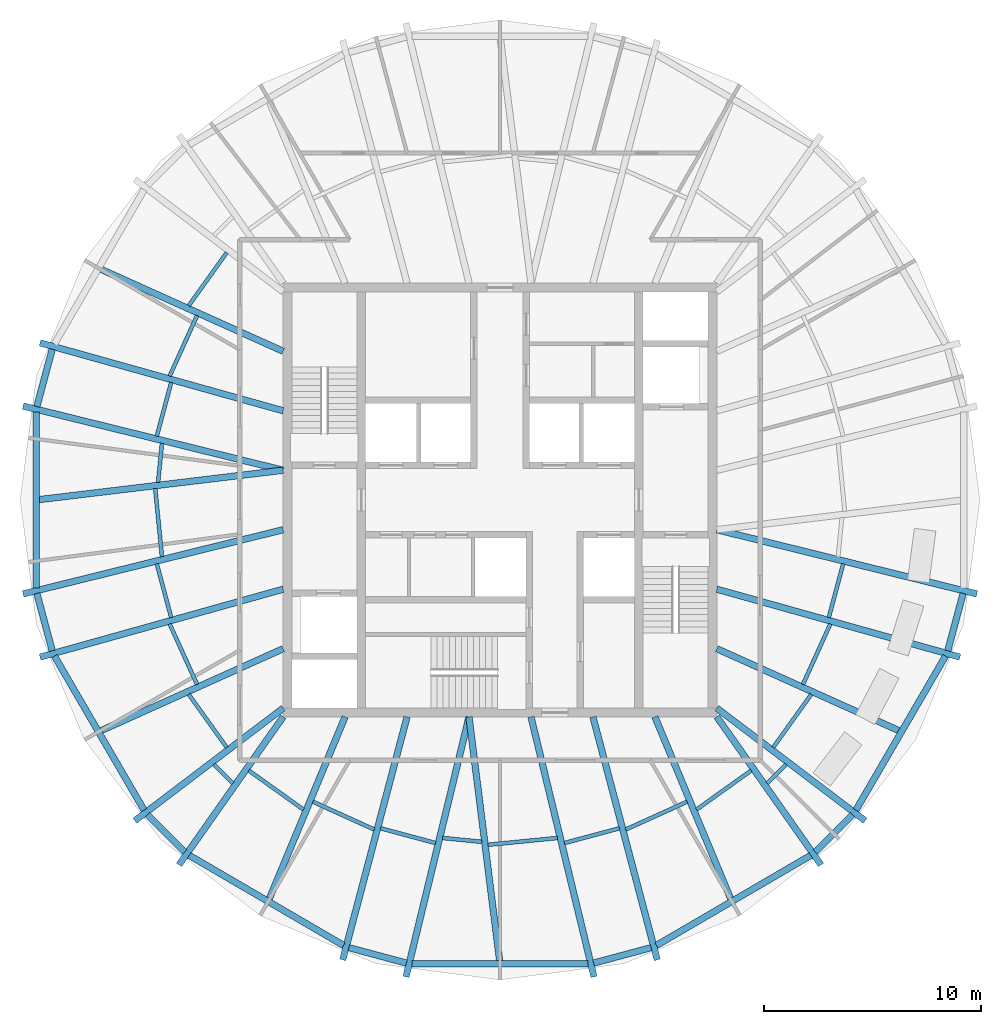
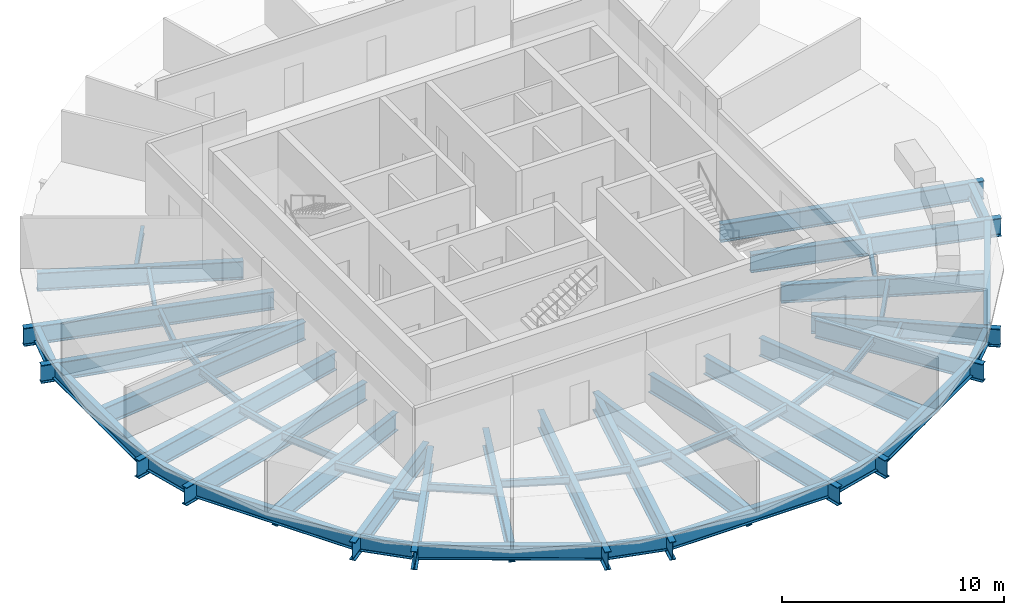
# One storey, part 1 of 7: 55 beams.
"""IFC4 building model written with IfcOpenShell, lengths in metres."""

from ifc_helpers import new_model, si_unit, direction, frame, origin, origin_2d, place, context, subcontext, project, spatial, i_section, extrude, material, material_profile, profile_set, type_object, element, save


model = new_model("IFC4")

# Units and contexts
model_context = context("Model", 3, precision=1e-05, world=origin(), true_north=direction((0.0, 1.0)))
body_context = subcontext(model_context, "Body", "Model", "MODEL_VIEW")
ifc_project = project(units=[si_unit("LENGTHUNIT", "METRE"), si_unit("AREAUNIT", "SQUARE_METRE"), si_unit("VOLUMEUNIT", "CUBIC_METRE"), si_unit("PLANEANGLEUNIT", "RADIAN"), si_unit("MASSUNIT", "GRAM", prefix="KILO")], contexts=[model_context])

# Site, building, storey
site_placement = place(None, origin())
site = spatial("IfcSite", under=ifc_project, at=site_placement, CompositionType="ELEMENT")
building_placement = place(site_placement, origin())
building = spatial("IfcBuilding", under=site, at=building_placement, Name="Golbaran Civic Tower", CompositionType="ELEMENT")
storey_placement = place(building_placement, frame((0.0, 0.0, 260.0)))
storey = spatial("IfcBuildingStorey", under=building, at=storey_placement, Name="L63", CompositionType="ELEMENT", Elevation=260.0)

# Beams
ifc_material = material(Name="Steel S355", Category="steel")
ifc_material_profile_1 = material_profile(ifc_material, i_section(OverallWidth=0.300048828125, OverallDepth=0.800048828125, WebThickness=0.017578125, FlangeThickness=0.032958984375, FilletRadius=0.030029296875, at=origin_2d()), Name="HEB 800")
ifc_profile_set_1 = profile_set([ifc_material_profile_1], Name="Steel S355")
beam_type_1 = type_object("IfcBeamType", Name="EDGE BEAM HEB 800", PredefinedType="BEAM", material=ifc_profile_set_1)
beam_1_placement = place(storey_placement, frame((-20.644775390625, 6.953857421875, -0.60009765625), z_axis=(-0.25901694916, -0.965872776326, 0.0), x_axis=(0.965872776326, -0.25901694916, 0.0)))
element("IfcBeam", 1, at=beam_1_placement, inside=storey, type_object=beam_type_1, Name="Edge beam 161.21 L63", PredefinedType="BEAM", context=body_context, shape_type="SweptSolid", body=[
    extrude(i_section(OverallWidth=0.300048828125, OverallDepth=0.800048828125, WebThickness=0.017578125, FlangeThickness=0.032958984375, FilletRadius=0.030029296875, at=origin_2d()), origin(), (0.0, 0.0, 1.0), 2.7373046875),
])
beam_2_placement = place(storey_placement, frame((-21.387451171875, 4.050537109375, -0.60009765625), z_axis=(0.0, -1.0, 0.0), x_axis=(1.0, 0.0, 0.0)))
element("IfcBeam", 2, at=beam_2_placement, inside=storey, type_object=beam_type_1, Name="Edge beam 168.79 L63", PredefinedType="BEAM", context=body_context, shape_type="SweptSolid", body=[
    extrude(i_section(OverallWidth=0.300048828125, OverallDepth=0.800048828125, WebThickness=0.017578125, FlangeThickness=0.032958984375, FilletRadius=0.030029296875, at=origin_2d()), origin(), (0.0, 0.0, 1.0), 8.10107421875),
])
beam_3_placement = place(storey_placement, frame((-21.353759765625, -4.31005859375, -0.60009765625), z_axis=(0.25901694916, -0.965872776326, 0.0), x_axis=(0.965872776326, 0.25901694916, 0.0)))
element("IfcBeam", 3, at=beam_3_placement, inside=storey, type_object=beam_type_1, Name="Edge beam 191.21 L63", PredefinedType="BEAM", context=body_context, shape_type="SweptSolid", body=[
    extrude(i_section(OverallWidth=0.300048828125, OverallDepth=0.800048828125, WebThickness=0.017578125, FlangeThickness=0.032958984375, FilletRadius=0.030029296875, at=origin_2d()), origin(), (0.0, 0.0, 1.0), 2.7373046875),
])
beam_4_placement = place(storey_placement, frame((-20.54345703125, -7.195556640625, -0.60009765625), z_axis=(0.502779418578, -0.864414747823, 0.0), x_axis=(0.864414747823, 0.502779418578, 0.0)))
element("IfcBeam", 4, at=beam_4_placement, inside=storey, type_object=beam_type_1, Name="Edge beam 198.79 L63", PredefinedType="BEAM", context=body_context, shape_type="SweptSolid", body=[
    extrude(i_section(OverallWidth=0.300048828125, OverallDepth=0.800048828125, WebThickness=0.017578125, FlangeThickness=0.032958984375, FilletRadius=0.030029296875, at=origin_2d()), origin(), (0.0, 0.0, 1.0), 8.221435546875),
])
beam_5_placement = place(storey_placement, frame((-16.251220703125, -14.50830078125, -0.60009765625), z_axis=(0.706451703172, -0.707761252885, 0.0), x_axis=(0.707761252885, 0.706451703172, 0.0)))
element("IfcBeam", 5, at=beam_5_placement, inside=storey, type_object=beam_type_1, Name="Edge beam 221.21 L63", PredefinedType="BEAM", context=body_context, shape_type="SweptSolid", body=[
    extrude(i_section(OverallWidth=0.300048828125, OverallDepth=0.800048828125, WebThickness=0.017578125, FlangeThickness=0.032958984375, FilletRadius=0.030029296875, at=origin_2d()), origin(), (0.0, 0.0, 1.0), 2.423583984375),
])
beam_6_placement = place(storey_placement, frame((-14.333251953125, -16.3828125, -0.60009765625), z_axis=(0.863762793422, -0.503898637328, 0.0), x_axis=(0.503898637328, 0.863762793422, 0.0)))
element("IfcBeam", 6, at=beam_6_placement, inside=storey, type_object=beam_type_1, Name="Edge beam 228.79 L63", PredefinedType="BEAM", context=body_context, shape_type="SweptSolid", body=[
    extrude(i_section(OverallWidth=0.300048828125, OverallDepth=0.800048828125, WebThickness=0.017578125, FlangeThickness=0.032958984375, FilletRadius=0.030029296875, at=origin_2d()), origin(), (0.0, 0.0, 1.0), 8.246337890625),
])
beam_7_placement = place(storey_placement, frame((-6.96826171875, -20.639892578125, -0.60009765625), z_axis=(0.965755456835, -0.259454037534, 0.0), x_axis=(0.259454037534, 0.965755456835, 0.0)))
element("IfcBeam", 7, at=beam_7_placement, inside=storey, type_object=beam_type_1, Name="Edge beam 251.21 L63", PredefinedType="BEAM", context=body_context, shape_type="SweptSolid", body=[
    extrude(i_section(OverallWidth=0.300048828125, OverallDepth=0.800048828125, WebThickness=0.017578125, FlangeThickness=0.032958984375, FilletRadius=0.030029296875, at=origin_2d()), origin(), (0.0, 0.0, 1.0), 2.74755859375),
])
beam_8_placement = place(storey_placement, frame((-4.055419921875, -21.386474609375, -0.60009765625), z_axis=(1.0, 0.0, 0.0), x_axis=(0.0, 1.0, 0.0)))
element("IfcBeam", 8, at=beam_8_placement, inside=storey, type_object=beam_type_1, Name="Edge beam 258.79 L63", PredefinedType="BEAM", context=body_context, shape_type="SweptSolid", body=[
    extrude(i_section(OverallWidth=0.300048828125, OverallDepth=0.800048828125, WebThickness=0.017578125, FlangeThickness=0.032958984375, FilletRadius=0.030029296875, at=origin_2d()), origin(), (0.0, 0.0, 1.0), 8.11083984375),
])
beam_9_placement = place(storey_placement, frame((4.314697265625, -21.352783203125, -0.60009765625), z_axis=(0.965755456835, 0.259454037534, 0.0), x_axis=(-0.259454037534, 0.965755456835, 0.0)))
element("IfcBeam", 9, at=beam_9_placement, inside=storey, type_object=beam_type_1, Name="Edge beam 281.21 L63", PredefinedType="BEAM", context=body_context, shape_type="SweptSolid", body=[
    extrude(i_section(OverallWidth=0.300048828125, OverallDepth=0.800048828125, WebThickness=0.017578125, FlangeThickness=0.032958984375, FilletRadius=0.030029296875, at=origin_2d()), origin(), (0.0, 0.0, 1.0), 2.74755859375),
])
beam_10_placement = place(storey_placement, frame((7.21044921875, -20.5380859375, -0.60009765625), z_axis=(0.863762793422, 0.503898637328, 0.0), x_axis=(-0.503898637328, 0.863762793422, 0.0)))
element("IfcBeam", 10, at=beam_10_placement, inside=storey, type_object=beam_type_1, Name="Edge beam 288.79 L63", PredefinedType="BEAM", context=body_context, shape_type="SweptSolid", body=[
    extrude(i_section(OverallWidth=0.300048828125, OverallDepth=0.800048828125, WebThickness=0.017578125, FlangeThickness=0.032958984375, FilletRadius=0.030029296875, at=origin_2d()), origin(), (0.0, 0.0, 1.0), 8.246337890625),
])
beam_11_placement = place(storey_placement, frame((14.5390625, -16.2236328125, -0.60009765625), z_axis=(0.706451703172, 0.707761252885, 0.0), x_axis=(-0.707761252885, 0.706451703172, 0.0)))
element("IfcBeam", 11, at=beam_11_placement, inside=storey, type_object=beam_type_1, Name="Edge beam 311.21 L63", PredefinedType="BEAM", context=body_context, shape_type="SweptSolid", body=[
    extrude(i_section(OverallWidth=0.300048828125, OverallDepth=0.800048828125, WebThickness=0.017578125, FlangeThickness=0.032958984375, FilletRadius=0.030029296875, at=origin_2d()), origin(), (0.0, 0.0, 1.0), 2.423583984375),
])
beam_12_placement = place(storey_placement, frame((16.409912109375, -14.30224609375, -0.60009765625), z_axis=(0.502779418578, 0.864414747823, 0.0), x_axis=(-0.864414747823, 0.502779418578, 0.0)))
element("IfcBeam", 12, at=beam_12_placement, inside=storey, type_object=beam_type_1, Name="Edge beam 318.79 L63", PredefinedType="BEAM", context=body_context, shape_type="SweptSolid", body=[
    extrude(i_section(OverallWidth=0.300048828125, OverallDepth=0.800048828125, WebThickness=0.017578125, FlangeThickness=0.032958984375, FilletRadius=0.030029296875, at=origin_2d()), origin(), (0.0, 0.0, 1.0), 8.221435546875),
])
beam_13_placement = place(storey_placement, frame((20.644775390625, -6.953857421875, -0.60009765625), z_axis=(0.25901694916, 0.965872776326, 0.0), x_axis=(-0.965872776326, 0.25901694916, 0.0)))
element("IfcBeam", 13, at=beam_13_placement, inside=storey, type_object=beam_type_1, Name="Edge beam 341.21 L63", PredefinedType="BEAM", context=body_context, shape_type="SweptSolid", body=[
    extrude(i_section(OverallWidth=0.300048828125, OverallDepth=0.800048828125, WebThickness=0.017578125, FlangeThickness=0.032958984375, FilletRadius=0.030029296875, at=origin_2d()), origin(), (0.0, 0.0, 1.0), 2.7373046875),
])
ifc_material_profile_2 = material_profile(ifc_material, i_section(OverallWidth=0.179931640625, OverallDepth=0.39990234375, WebThickness=0.008544921875, FlangeThickness=0.013427734375, FilletRadius=0.02099609375, at=origin_2d()), Name="IPE 400")
ifc_profile_set_2 = profile_set([ifc_material_profile_2], Name="Steel S355")
beam_type_2 = type_object("IfcBeamType", Name="FLOOR INFILL BEAM IPE 400", PredefinedType="BEAM", material=ifc_profile_set_2)
beam_14_placement = place(storey_placement, frame((-12.598388671875, 11.4091796875, -0.39990234375), z_axis=(-0.582187972449, -0.813054220046, 0.0), x_axis=(0.813054220046, -0.582187972449, 0.0)))
element("IfcBeam", 14, at=beam_14_placement, inside=storey, type_object=beam_type_2, Name="Infill beam 144.40 L63", PredefinedType="BEAM", context=body_context, shape_type="SweptSolid", body=[
    extrude(i_section(OverallWidth=0.179931640625, OverallDepth=0.39990234375, WebThickness=0.008544921875, FlangeThickness=0.013427734375, FilletRadius=0.02099609375, at=origin_2d()), origin(), (0.0, 0.0, 1.0), 3.013916015625),
])
beam_15_placement = place(storey_placement, frame((-13.968994140625, 8.500732421875, -0.39990234375), z_axis=(-0.413057972764, -0.910704733235, 0.0), x_axis=(0.910704733235, -0.413057972764, 0.0)))
element("IfcBeam", 15, at=beam_15_placement, inside=storey, type_object=beam_type_2, Name="Infill beam 155.60 L63", PredefinedType="BEAM", context=body_context, shape_type="SweptSolid", body=[
    extrude(i_section(OverallWidth=0.179931640625, OverallDepth=0.39990234375, WebThickness=0.008544921875, FlangeThickness=0.013427734375, FilletRadius=0.02099609375, at=origin_2d()), origin(), (0.0, 0.0, 1.0), 3.062255859375),
])
beam_16_placement = place(storey_placement, frame((-15.160400390625, 5.42138671875, -0.39990234375), z_axis=(-0.258829662571, -0.965922981284, 0.0), x_axis=(0.965922981284, -0.258829662571, 0.0)))
element("IfcBeam", 16, at=beam_16_placement, inside=storey, type_object=beam_type_2, Name="Infill beam 165.00 L63", PredefinedType="BEAM", context=body_context, shape_type="SweptSolid", body=[
    extrude(i_section(OverallWidth=0.179931640625, OverallDepth=0.39990234375, WebThickness=0.008544921875, FlangeThickness=0.013427734375, FilletRadius=0.02099609375, at=origin_2d()), origin(), (0.0, 0.0, 1.0), 2.564697265625),
])
beam_17_placement = place(storey_placement, frame((-15.587890625, 2.617919921875, -0.39990234375), z_axis=(-0.097735684959, -0.995212407421, 0.0), x_axis=(0.995212407421, -0.097735684959, 0.0)))
element("IfcBeam", 17, at=beam_17_placement, inside=storey, type_object=beam_type_2, Name="Infill beam 174.40 L63", PredefinedType="BEAM", context=body_context, shape_type="SweptSolid", body=[
    extrude(i_section(OverallWidth=0.179931640625, OverallDepth=0.39990234375, WebThickness=0.008544921875, FlangeThickness=0.013427734375, FilletRadius=0.02099609375, at=origin_2d()), origin(), (0.0, 0.0, 1.0), 1.818603515625),
])
beam_18_placement = place(storey_placement, frame((-15.896728515625, 0.5302734375, -0.39990234375), z_axis=(0.097631380089, -0.995222645252, 0.0), x_axis=(0.995222645252, 0.097631380089, 0.0)))
element("IfcBeam", 18, at=beam_18_placement, inside=storey, type_object=beam_type_2, Name="Infill beam 185.60 L63", PredefinedType="BEAM", context=body_context, shape_type="SweptSolid", body=[
    extrude(i_section(OverallWidth=0.179931640625, OverallDepth=0.39990234375, WebThickness=0.008544921875, FlangeThickness=0.013427734375, FilletRadius=0.02099609375, at=origin_2d()), origin(), (0.0, 0.0, 1.0), 3.163330078125),
])
beam_19_placement = place(storey_placement, frame((-15.82421875, -2.944091796875, -0.39990234375), z_axis=(0.258829662571, -0.965922981284, 0.0), x_axis=(0.965922981284, 0.258829662571, 0.0)))
element("IfcBeam", 19, at=beam_19_placement, inside=storey, type_object=beam_type_2, Name="Infill beam 195.00 L63", PredefinedType="BEAM", context=body_context, shape_type="SweptSolid", body=[
    extrude(i_section(OverallWidth=0.179931640625, OverallDepth=0.39990234375, WebThickness=0.008544921875, FlangeThickness=0.013427734375, FilletRadius=0.02099609375, at=origin_2d()), origin(), (0.0, 0.0, 1.0), 2.564697265625),
])
beam_20_placement = place(storey_placement, frame((-15.23388671875, -5.7119140625, -0.39990234375), z_axis=(0.413057972764, -0.910704733235, 0.0), x_axis=(0.910704733235, 0.413057972764, 0.0)))
element("IfcBeam", 20, at=beam_20_placement, inside=storey, type_object=beam_type_2, Name="Infill beam 204.40 L63", PredefinedType="BEAM", context=body_context, shape_type="SweptSolid", body=[
    extrude(i_section(OverallWidth=0.179931640625, OverallDepth=0.39990234375, WebThickness=0.008544921875, FlangeThickness=0.013427734375, FilletRadius=0.02099609375, at=origin_2d()), origin(), (0.0, 0.0, 1.0), 3.062255859375),
])
beam_21_placement = place(storey_placement, frame((-14.35302734375, -8.958740234375, -0.39990234375), z_axis=(0.582187972449, -0.813054220046, 0.0), x_axis=(0.813054220046, 0.582187972449, 0.0)))
element("IfcBeam", 21, at=beam_21_placement, inside=storey, type_object=beam_type_2, Name="Infill beam 215.60 L63", PredefinedType="BEAM", context=body_context, shape_type="SweptSolid", body=[
    extrude(i_section(OverallWidth=0.179931640625, OverallDepth=0.39990234375, WebThickness=0.008544921875, FlangeThickness=0.013427734375, FilletRadius=0.02099609375, at=origin_2d()), origin(), (0.0, 0.0, 1.0), 3.013916015625),
])
beam_22_placement = place(storey_placement, frame((-13.193359375, -12.187255859375, -0.39990234375), z_axis=(0.707106781187, -0.707106781187, 0.0), x_axis=(0.707106781187, 0.707106781187, 0.0)))
element("IfcBeam", 22, at=beam_22_placement, inside=storey, type_object=beam_type_2, Name="Infill beam 225.00 L63", PredefinedType="BEAM", context=body_context, shape_type="SweptSolid", body=[
    extrude(i_section(OverallWidth=0.179931640625, OverallDepth=0.39990234375, WebThickness=0.008544921875, FlangeThickness=0.013427734375, FilletRadius=0.02099609375, at=origin_2d()), origin(), (0.0, 0.0, 1.0), 1.240966796875),
])
beam_23_placement = place(storey_placement, frame((-11.5810546875, -12.472412109375, -0.39990234375), z_axis=(0.813098930695, -0.582125526757, 0.0), x_axis=(0.582125526757, 0.813098930695, 0.0)))
element("IfcBeam", 23, at=beam_23_placement, inside=storey, type_object=beam_type_2, Name="Infill beam 234.40 L63", PredefinedType="BEAM", context=body_context, shape_type="SweptSolid", body=[
    extrude(i_section(OverallWidth=0.179931640625, OverallDepth=0.39990234375, WebThickness=0.008544921875, FlangeThickness=0.013427734375, FilletRadius=0.02099609375, at=origin_2d()), origin(), (0.0, 0.0, 1.0), 3.095947265625),
])
beam_24_placement = place(storey_placement, frame((-8.63037109375, -13.910400390625, -0.39990234375), z_axis=(0.910699287855, -0.413069978454, 0.0), x_axis=(0.413069978454, 0.910699287855, 0.0)))
element("IfcBeam", 24, at=beam_24_placement, inside=storey, type_object=beam_type_2, Name="Infill beam 245.60 L63", PredefinedType="BEAM", context=body_context, shape_type="SweptSolid", body=[
    extrude(i_section(OverallWidth=0.179931640625, OverallDepth=0.39990234375, WebThickness=0.008544921875, FlangeThickness=0.013427734375, FilletRadius=0.02099609375, at=origin_2d()), origin(), (0.0, 0.0, 1.0), 3.1123046875),
])
beam_25_placement = place(storey_placement, frame((-5.51123046875, -15.13623046875, -0.39990234375), z_axis=(0.965935199195, -0.258784062406, 0.0), x_axis=(0.258784062406, 0.965935199195, 0.0)))
element("IfcBeam", 25, at=beam_25_placement, inside=storey, type_object=beam_type_2, Name="Infill beam 255.00 L63", PredefinedType="BEAM", context=body_context, shape_type="SweptSolid", body=[
    extrude(i_section(OverallWidth=0.179931640625, OverallDepth=0.39990234375, WebThickness=0.008544921875, FlangeThickness=0.013427734375, FilletRadius=0.02099609375, at=origin_2d()), origin(), (0.0, 0.0, 1.0), 2.62841796875),
])
beam_26_placement = place(storey_placement, frame((-2.648681640625, -15.58447265625, -0.39990234375), z_axis=(0.995223928359, -0.097618299629, 0.0), x_axis=(0.097618299629, 0.995223928359, 0.0)))
element("IfcBeam", 26, at=beam_26_placement, inside=storey, type_object=beam_type_2, Name="Infill beam 264.40 L63", PredefinedType="BEAM", context=body_context, shape_type="SweptSolid", body=[
    extrude(i_section(OverallWidth=0.179931640625, OverallDepth=0.39990234375, WebThickness=0.008544921875, FlangeThickness=0.013427734375, FilletRadius=0.02099609375, at=origin_2d()), origin(), (0.0, 0.0, 1.0), 1.82080078125),
])
beam_27_placement = place(storey_placement, frame((-0.557373046875, -15.89892578125, -0.39990234375), z_axis=(0.995224483875, 0.097612635945, 0.0), x_axis=(-0.097612635945, 0.995224483875, 0.0)))
element("IfcBeam", 27, at=beam_27_placement, inside=storey, type_object=beam_type_2, Name="Infill beam 275.60 L63", PredefinedType="BEAM", context=body_context, shape_type="SweptSolid", body=[
    extrude(i_section(OverallWidth=0.179931640625, OverallDepth=0.39990234375, WebThickness=0.008544921875, FlangeThickness=0.013427734375, FilletRadius=0.02099609375, at=origin_2d()), origin(), (0.0, 0.0, 1.0), 3.221435546875),
])
beam_28_placement = place(storey_placement, frame((2.972412109375, -15.81640625, -0.39990234375), z_axis=(0.965935199195, 0.258784062406, 0.0), x_axis=(-0.258784062406, 0.965935199195, 0.0)))
element("IfcBeam", 28, at=beam_28_placement, inside=storey, type_object=beam_type_2, Name="Infill beam 285.00 L63", PredefinedType="BEAM", context=body_context, shape_type="SweptSolid", body=[
    extrude(i_section(OverallWidth=0.179931640625, OverallDepth=0.39990234375, WebThickness=0.008544921875, FlangeThickness=0.013427734375, FilletRadius=0.02099609375, at=origin_2d()), origin(), (0.0, 0.0, 1.0), 2.62841796875),
])
beam_29_placement = place(storey_placement, frame((5.7958984375, -15.196044921875, -0.39990234375), z_axis=(0.910699287855, 0.413069978454, 0.0), x_axis=(-0.413069978454, 0.910699287855, 0.0)))
element("IfcBeam", 29, at=beam_29_placement, inside=storey, type_object=beam_type_2, Name="Infill beam 294.40 L63", PredefinedType="BEAM", context=body_context, shape_type="SweptSolid", body=[
    extrude(i_section(OverallWidth=0.179931640625, OverallDepth=0.39990234375, WebThickness=0.008544921875, FlangeThickness=0.013427734375, FilletRadius=0.02099609375, at=origin_2d()), origin(), (0.0, 0.0, 1.0), 3.1123046875),
])
beam_30_placement = place(storey_placement, frame((9.063720703125, -14.274658203125, -0.39990234375), z_axis=(0.813098930695, 0.582125526757, 0.0), x_axis=(-0.582125526757, 0.813098930695, 0.0)))
element("IfcBeam", 30, at=beam_30_placement, inside=storey, type_object=beam_type_2, Name="Infill beam 305.60 L63", PredefinedType="BEAM", context=body_context, shape_type="SweptSolid", body=[
    extrude(i_section(OverallWidth=0.179931640625, OverallDepth=0.39990234375, WebThickness=0.008544921875, FlangeThickness=0.013427734375, FilletRadius=0.02099609375, at=origin_2d()), origin(), (0.0, 0.0, 1.0), 3.095947265625),
])
beam_31_placement = place(storey_placement, frame((12.31591796875, -13.064697265625, -0.39990234375), z_axis=(0.707106781187, 0.707106781187, 0.0), x_axis=(-0.707106781187, 0.707106781187, 0.0)))
element("IfcBeam", 31, at=beam_31_placement, inside=storey, type_object=beam_type_2, Name="Infill beam 315.00 L63", PredefinedType="BEAM", context=body_context, shape_type="SweptSolid", body=[
    extrude(i_section(OverallWidth=0.179931640625, OverallDepth=0.39990234375, WebThickness=0.008544921875, FlangeThickness=0.013427734375, FilletRadius=0.02099609375, at=origin_2d()), origin(), (0.0, 0.0, 1.0), 1.240966796875),
])
beam_32_placement = place(storey_placement, frame((12.598388671875, -11.4091796875, -0.39990234375), z_axis=(0.582187972449, 0.813054220046, 0.0), x_axis=(-0.813054220046, 0.582187972449, 0.0)))
element("IfcBeam", 32, at=beam_32_placement, inside=storey, type_object=beam_type_2, Name="Infill beam 324.40 L63", PredefinedType="BEAM", context=body_context, shape_type="SweptSolid", body=[
    extrude(i_section(OverallWidth=0.179931640625, OverallDepth=0.39990234375, WebThickness=0.008544921875, FlangeThickness=0.013427734375, FilletRadius=0.02099609375, at=origin_2d()), origin(), (0.0, 0.0, 1.0), 3.013916015625),
])
beam_33_placement = place(storey_placement, frame((13.968994140625, -8.500732421875, -0.39990234375), z_axis=(0.413057972764, 0.910704733235, 0.0), x_axis=(-0.910704733235, 0.413057972764, 0.0)))
element("IfcBeam", 33, at=beam_33_placement, inside=storey, type_object=beam_type_2, Name="Infill beam 335.60 L63", PredefinedType="BEAM", context=body_context, shape_type="SweptSolid", body=[
    extrude(i_section(OverallWidth=0.179931640625, OverallDepth=0.39990234375, WebThickness=0.008544921875, FlangeThickness=0.013427734375, FilletRadius=0.02099609375, at=origin_2d()), origin(), (0.0, 0.0, 1.0), 3.062255859375),
])
beam_34_placement = place(storey_placement, frame((15.160400390625, -5.42138671875, -0.39990234375), z_axis=(0.258829662571, 0.965922981284, 0.0), x_axis=(-0.965922981284, 0.258829662571, 0.0)))
element("IfcBeam", 34, at=beam_34_placement, inside=storey, type_object=beam_type_2, Name="Infill beam 345.00 L63", PredefinedType="BEAM", context=body_context, shape_type="SweptSolid", body=[
    extrude(i_section(OverallWidth=0.179931640625, OverallDepth=0.39990234375, WebThickness=0.008544921875, FlangeThickness=0.013427734375, FilletRadius=0.02099609375, at=origin_2d()), origin(), (0.0, 0.0, 1.0), 2.564697265625),
])
ifc_material_profile_3 = material_profile(ifc_material, i_section(OverallWidth=0.300048828125, OverallDepth=1.0, WebThickness=0.01904296875, FlangeThickness=0.035888671875, FilletRadius=0.030029296875, at=origin_2d()), Name="HEB 1000")
ifc_profile_set_3 = profile_set([ifc_material_profile_3], Name="Steel S355")
beam_type_3 = type_object("IfcBeamType", Name="RADIAL FLOOR BEAM HEB 1000", PredefinedType="BEAM", material=ifc_profile_set_3)
beam_35_placement = place(storey_placement, frame((-10.0, 4.1142578125, -0.7099609375), z_axis=(-0.963103136489, 0.269132585328, 0.0), x_axis=(-0.269132585328, -0.963103136489, 0.0)))
element("IfcBeam", 35, at=beam_35_placement, inside=storey, type_object=beam_type_3, Name="Radial beam 161.21 L63", PredefinedType="BEAM", context=body_context, shape_type="SweptSolid", body=[
    extrude(i_section(OverallWidth=0.300048828125, OverallDepth=1.0, WebThickness=0.01904296875, FlangeThickness=0.035888671875, FilletRadius=0.030029296875, at=origin_2d()), origin(), (0.0, 0.0, 1.0), 11.635986328125),
])
for number, where, z_axis, x_axis, name in (
    (36, (-10.0, 1.371337890625, -0.7099609375), (-0.970817930922, 0.239817732875, 0.0), (-0.239817732875, -0.970817930922, 0.0), "Radial beam 168.79 L63"),
    (37, (-10.0, -1.371337890625, -0.7099609375), (-0.970817930922, -0.239817732875, 0.0), (0.239817732875, -0.970817930922, 0.0), "Radial beam 191.21 L63"),
):
    element("IfcBeam", number, at=place(storey_placement, frame(where, z_axis=z_axis, x_axis=x_axis)), inside=storey, type_object=beam_type_3, Name=name, PredefinedType="BEAM", context=body_context, shape_type="SweptSolid", body=[
        extrude(i_section(OverallWidth=0.300048828125, OverallDepth=1.0, WebThickness=0.01904296875, FlangeThickness=0.035888671875, FilletRadius=0.030029296875, at=origin_2d()), origin(), (0.0, 0.0, 1.0), 12.34765625),
    ])
beam_36_placement = place(storey_placement, frame((-10.0, -4.1142578125, -0.7099609375), z_axis=(-0.963103136489, -0.269132585328, 0.0), x_axis=(0.269132585328, -0.963103136489, 0.0)))
element("IfcBeam", 38, at=beam_36_placement, inside=storey, type_object=beam_type_3, Name="Radial beam 198.79 L63", PredefinedType="BEAM", context=body_context, shape_type="SweptSolid", body=[
    extrude(i_section(OverallWidth=0.300048828125, OverallDepth=1.0, WebThickness=0.01904296875, FlangeThickness=0.035888671875, FilletRadius=0.030029296875, at=origin_2d()), origin(), (0.0, 0.0, 1.0), 11.635986328125),
])
beam_37_placement = place(storey_placement, frame((-10.0, -9.60009765625, -0.7099609375), z_axis=(-0.79651506538, -0.604618681999, 0.0), x_axis=(0.604618681999, -0.79651506538, 0.0)))
element("IfcBeam", 39, at=beam_37_placement, inside=storey, type_object=beam_type_3, Name="Radial beam 221.21 L63", PredefinedType="BEAM", context=body_context, shape_type="SweptSolid", body=[
    extrude(i_section(OverallWidth=0.300048828125, OverallDepth=1.0, WebThickness=0.01904296875, FlangeThickness=0.035888671875, FilletRadius=0.030029296875, at=origin_2d()), origin(), (0.0, 0.0, 1.0), 8.58251953125),
])
beam_38_placement = place(storey_placement, frame((-10.0, -10.0, -0.7099609375), z_axis=(-0.575547758887, -0.817768168395, 0.0), x_axis=(0.817768168395, -0.575547758887, 0.0)))
element("IfcBeam", 40, at=beam_38_placement, inside=storey, type_object=beam_type_3, Name="Radial beam 228.79 L63", PredefinedType="BEAM", context=body_context, shape_type="SweptSolid", body=[
    extrude(i_section(OverallWidth=0.300048828125, OverallDepth=1.0, WebThickness=0.01904296875, FlangeThickness=0.035888671875, FilletRadius=0.030029296875, at=origin_2d()), origin(), (0.0, 0.0, 1.0), 8.3447265625),
])
beam_39_placement = place(storey_placement, frame((-4.28564453125, -10.0, -0.7099609375), z_axis=(-0.255948719211, -0.966690360526, 0.0), x_axis=(0.966690360526, -0.255948719211, 0.0)))
element("IfcBeam", 41, at=beam_39_placement, inside=storey, type_object=beam_type_3, Name="Radial beam 251.21 L63", PredefinedType="BEAM", context=body_context, shape_type="SweptSolid", body=[
    extrude(i_section(OverallWidth=0.300048828125, OverallDepth=1.0, WebThickness=0.01904296875, FlangeThickness=0.035888671875, FilletRadius=0.030029296875, at=origin_2d()), origin(), (0.0, 0.0, 1.0), 11.59033203125),
])
for number, where, z_axis, x_axis, name in (
    (42, (-1.428466796875, -10.0, -0.7099609375), (-0.235622686022, -0.971844611979, 0.0), (0.971844611979, -0.235622686022, 0.0), "Radial beam 258.79 L63"),
    (43, (1.428466796875, -10.0, -0.7099609375), (0.235622686022, -0.971844611979, 0.0), (0.971844611979, 0.235622686022, 0.0), "Radial beam 281.21 L63"),
):
    element("IfcBeam", number, at=place(storey_placement, frame(where, z_axis=z_axis, x_axis=x_axis)), inside=storey, type_object=beam_type_3, Name=name, PredefinedType="BEAM", context=body_context, shape_type="SweptSolid", body=[
        extrude(i_section(OverallWidth=0.300048828125, OverallDepth=1.0, WebThickness=0.01904296875, FlangeThickness=0.035888671875, FilletRadius=0.030029296875, at=origin_2d()), origin(), (0.0, 0.0, 1.0), 12.334228515625),
    ])
beam_40_placement = place(storey_placement, frame((4.28564453125, -10.0, -0.7099609375), z_axis=(0.255948719211, -0.966690360526, 0.0), x_axis=(0.966690360526, 0.255948719211, 0.0)))
element("IfcBeam", 44, at=beam_40_placement, inside=storey, type_object=beam_type_3, Name="Radial beam 288.79 L63", PredefinedType="BEAM", context=body_context, shape_type="SweptSolid", body=[
    extrude(i_section(OverallWidth=0.300048828125, OverallDepth=1.0, WebThickness=0.01904296875, FlangeThickness=0.035888671875, FilletRadius=0.030029296875, at=origin_2d()), origin(), (0.0, 0.0, 1.0), 11.59033203125),
])
beam_41_placement = place(storey_placement, frame((10.0, -10.0, -0.7099609375), z_axis=(0.575547758887, -0.817768168395, 0.0), x_axis=(0.817768168395, 0.575547758887, 0.0)))
element("IfcBeam", 45, at=beam_41_placement, inside=storey, type_object=beam_type_3, Name="Radial beam 311.21 L63", PredefinedType="BEAM", context=body_context, shape_type="SweptSolid", body=[
    extrude(i_section(OverallWidth=0.300048828125, OverallDepth=1.0, WebThickness=0.01904296875, FlangeThickness=0.035888671875, FilletRadius=0.030029296875, at=origin_2d()), origin(), (0.0, 0.0, 1.0), 8.3447265625),
])
beam_42_placement = place(storey_placement, frame((10.0, -9.60009765625, -0.7099609375), z_axis=(0.79651506538, -0.604618681999, 0.0), x_axis=(0.604618681999, 0.79651506538, 0.0)))
element("IfcBeam", 46, at=beam_42_placement, inside=storey, type_object=beam_type_3, Name="Radial beam 318.79 L63", PredefinedType="BEAM", context=body_context, shape_type="SweptSolid", body=[
    extrude(i_section(OverallWidth=0.300048828125, OverallDepth=1.0, WebThickness=0.01904296875, FlangeThickness=0.035888671875, FilletRadius=0.030029296875, at=origin_2d()), origin(), (0.0, 0.0, 1.0), 8.58251953125),
])
beam_43_placement = place(storey_placement, frame((10.0, -4.1142578125, -0.7099609375), z_axis=(0.963103136489, -0.269132585328, 0.0), x_axis=(0.269132585328, 0.963103136489, 0.0)))
element("IfcBeam", 47, at=beam_43_placement, inside=storey, type_object=beam_type_3, Name="Radial beam 341.21 L63", PredefinedType="BEAM", context=body_context, shape_type="SweptSolid", body=[
    extrude(i_section(OverallWidth=0.300048828125, OverallDepth=1.0, WebThickness=0.01904296875, FlangeThickness=0.035888671875, FilletRadius=0.030029296875, at=origin_2d()), origin(), (0.0, 0.0, 1.0), 11.635986328125),
])
beam_44_placement = place(storey_placement, frame((10.0, -1.371337890625, -0.7099609375), z_axis=(0.970817930922, -0.239817732875, 0.0), x_axis=(0.239817732875, 0.970817930922, 0.0)))
element("IfcBeam", 48, at=beam_44_placement, inside=storey, type_object=beam_type_3, Name="Radial beam 348.79 L63", PredefinedType="BEAM", context=body_context, shape_type="SweptSolid", body=[
    extrude(i_section(OverallWidth=0.300048828125, OverallDepth=1.0, WebThickness=0.01904296875, FlangeThickness=0.035888671875, FilletRadius=0.030029296875, at=origin_2d()), origin(), (0.0, 0.0, 1.0), 12.34765625),
])
ifc_material_profile_4 = material_profile(ifc_material, i_section(OverallWidth=0.300048828125, OverallDepth=1.0, WebThickness=0.01904296875, FlangeThickness=0.035888671875, FilletRadius=0.030029296875, at=origin_2d()), Name="HEB 1000")
ifc_profile_set_4 = profile_set([ifc_material_profile_4], Name="Steel S355")
beam_type_4 = type_object("IfcBeamType", Name="SECONDARY FLOOR BEAM HEB 1000", PredefinedType="BEAM", material=ifc_profile_set_4)
beam_45_placement = place(storey_placement, frame((-10.0, 6.857177734375, -0.7099609375), z_axis=(-0.911908780842, 0.410392952452, 0.0), x_axis=(-0.410392952452, -0.911908780842, 0.0)))
element("IfcBeam", 49, at=beam_45_placement, inside=storey, type_object=beam_type_4, Name="Secondary beam 150.00 L63", PredefinedType="BEAM", context=body_context, shape_type="SweptSolid", body=[
    extrude(i_section(OverallWidth=0.300048828125, OverallDepth=1.0, WebThickness=0.01904296875, FlangeThickness=0.035888671875, FilletRadius=0.030029296875, at=origin_2d()), origin(), (0.0, 0.0, 1.0), 9.33447265625),
])
beam_46_placement = place(storey_placement, frame((-10.0, 1.371337890625, -0.7099609375), z_axis=(-0.992826793708, -0.119561522635, 0.0), x_axis=(0.119561522635, -0.992826793708, 0.0)))
element("IfcBeam", 50, at=beam_46_placement, inside=storey, type_object=beam_type_4, Name="Secondary beam 180.00 L63", PredefinedType="BEAM", context=body_context, shape_type="SweptSolid", body=[
    extrude(i_section(OverallWidth=0.300048828125, OverallDepth=1.0, WebThickness=0.01904296875, FlangeThickness=0.035888671875, FilletRadius=0.030029296875, at=origin_2d()), origin(), (0.0, 0.0, 1.0), 11.4697265625),
])
beam_47_placement = place(storey_placement, frame((-10.0, -6.857177734375, -0.7099609375), z_axis=(-0.911908780842, -0.410392952452, 0.0), x_axis=(0.410392952452, -0.911908780842, 0.0)))
element("IfcBeam", 51, at=beam_47_placement, inside=storey, type_object=beam_type_4, Name="Secondary beam 210.00 L63", PredefinedType="BEAM", context=body_context, shape_type="SweptSolid", body=[
    extrude(i_section(OverallWidth=0.300048828125, OverallDepth=1.0, WebThickness=0.01904296875, FlangeThickness=0.035888671875, FilletRadius=0.030029296875, at=origin_2d()), origin(), (0.0, 0.0, 1.0), 9.33447265625),
])
beam_48_placement = place(storey_placement, frame((-7.142822265625, -10.0, -0.7099609375), z_axis=(-0.384440489857, -0.923149776449, 0.0), x_axis=(0.923149776449, -0.384440489857, 0.0)))
element("IfcBeam", 52, at=beam_48_placement, inside=storey, type_object=beam_type_4, Name="Secondary beam 240.00 L63", PredefinedType="BEAM", context=body_context, shape_type="SweptSolid", body=[
    extrude(i_section(OverallWidth=0.300048828125, OverallDepth=1.0, WebThickness=0.01904296875, FlangeThickness=0.035888671875, FilletRadius=0.030029296875, at=origin_2d()), origin(), (0.0, 0.0, 1.0), 9.218505859375),
])
beam_49_placement = place(storey_placement, frame((-1.428466796875, -10.0, -0.7099609375), z_axis=(0.124477232328, -0.992222464285, 0.0), x_axis=(0.992222464285, 0.124477232328, 0.0)))
element("IfcBeam", 53, at=beam_49_placement, inside=storey, type_object=beam_type_4, Name="Secondary beam 270.00 L63", PredefinedType="BEAM", context=body_context, shape_type="SweptSolid", body=[
    extrude(i_section(OverallWidth=0.300048828125, OverallDepth=1.0, WebThickness=0.01904296875, FlangeThickness=0.035888671875, FilletRadius=0.030029296875, at=origin_2d()), origin(), (0.0, 0.0, 1.0), 11.475830078125),
])
beam_50_placement = place(storey_placement, frame((7.142822265625, -10.0, -0.7099609375), z_axis=(0.384440489857, -0.923149776449, 0.0), x_axis=(0.923149776449, 0.384440489857, 0.0)))
element("IfcBeam", 54, at=beam_50_placement, inside=storey, type_object=beam_type_4, Name="Secondary beam 300.00 L63", PredefinedType="BEAM", context=body_context, shape_type="SweptSolid", body=[
    extrude(i_section(OverallWidth=0.300048828125, OverallDepth=1.0, WebThickness=0.01904296875, FlangeThickness=0.035888671875, FilletRadius=0.030029296875, at=origin_2d()), origin(), (0.0, 0.0, 1.0), 9.218505859375),
])
beam_51_placement = place(storey_placement, frame((10.0, -6.857177734375, -0.7099609375), z_axis=(0.911908780842, -0.410392952452, 0.0), x_axis=(0.410392952452, 0.911908780842, 0.0)))
element("IfcBeam", 55, at=beam_51_placement, inside=storey, type_object=beam_type_4, Name="Secondary beam 330.00 L63", PredefinedType="BEAM", context=body_context, shape_type="SweptSolid", body=[
    extrude(i_section(OverallWidth=0.300048828125, OverallDepth=1.0, WebThickness=0.01904296875, FlangeThickness=0.035888671875, FilletRadius=0.030029296875, at=origin_2d()), origin(), (0.0, 0.0, 1.0), 9.33447265625),
])

save(model, "model.ifc")
